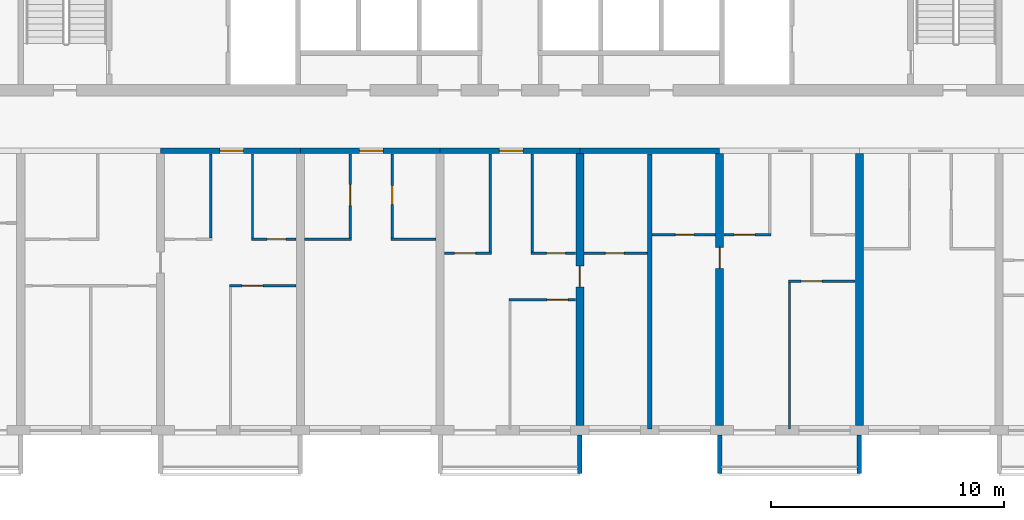
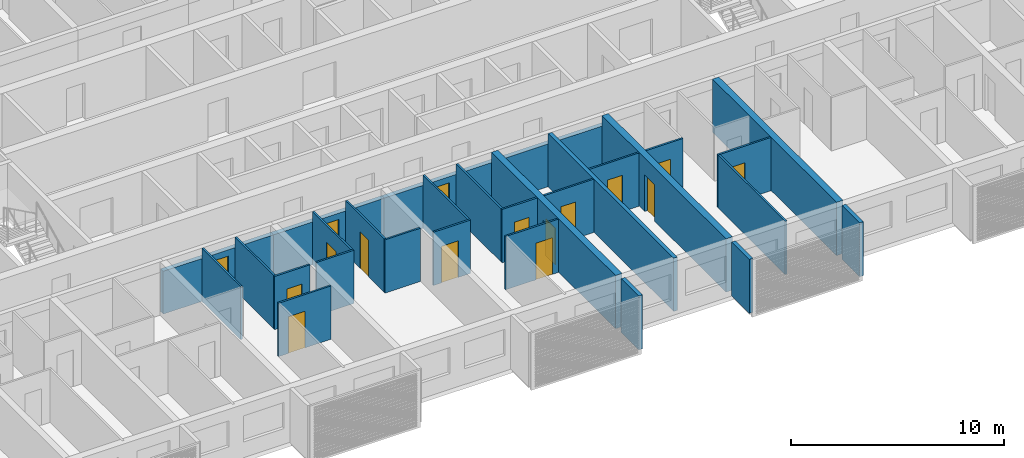
# One storey, part 5 of 26: 29 walls, 16 doors, 16 openings.
"""IFC4 building model written with IfcOpenShell, lengths in metres."""

import ifcopenshell
import ifcopenshell.guid

model = None  # the IFC model being written
_history = None  # IfcOwnerHistory: only IFC2X3 demands one
_inside = {}  # id of a spatial element -> (the spatial element, [elements in it])
_under = {}  # id of a project, library or spatial element -> (it, [spatial elements below it])
_declared = {}  # id of a project -> (the project, [libraries it declares])
_typed = {}  # id of a type object -> (the type object, [elements of that type])
_made_of = {}  # id of a material, layer set ... -> (it, [elements and type objects made of it])


def new_model(schema):
    """Start an empty IFC model of exactly this schema.

    Asked for "IFC4X3", IfcOpenShell would pick the latest addendum, in which some entities
    have other attributes; the version numbers below select the first issue.
    IFC2X3 requires an IfcOwnerHistory on every rooted entity: one is made here for all.
    """
    global model, _history
    if schema == "IFC4X3":
        model = ifcopenshell.file(schema_version=(4, 3, 0, 0))
    else:
        model = ifcopenshell.file(schema=schema)
    _inside.clear()
    _under.clear()
    _declared.clear()
    _typed.clear()
    _made_of.clear()
    _history = None
    if model.schema == "IFC2X3":
        org = make("IfcOrganization", Name="unknown")
        user = make(
            "IfcPersonAndOrganization",
            ThePerson=make("IfcPerson", FamilyName="unknown"),
            TheOrganization=org,
        )
        app = make(
            "IfcApplication",
            ApplicationDeveloper=org,
            Version="unknown",
            ApplicationFullName="unknown",
            ApplicationIdentifier="unknown",
        )
        _history = make(
            "IfcOwnerHistory",
            OwningUser=user,
            OwningApplication=app,
            ChangeAction="ADDED",
            CreationDate=0,
        )
    return model


def make(cls, **values):
    """One entity of the class cls with the attributes given. An attribute that is None is left unset."""
    return model.create_entity(
        cls, **{name: value for name, value in values.items() if value is not None}
    )


def rooted(cls, **values):
    """An entity with a GlobalId (a new one), such as an element, a storey or a relation."""
    return make(cls, GlobalId=ifcopenshell.guid.new(), OwnerHistory=_history, **values)


def si_unit(unit_type, name, prefix=None):
    """IfcSIUnit, for example si_unit("LENGTHUNIT", "METRE", prefix="MILLI")."""
    return make("IfcSIUnit", UnitType=unit_type, Prefix=prefix, Name=name)


def assignment(units):
    """IfcUnitAssignment: the units of a project."""
    return None if units is None else make("IfcUnitAssignment", Units=units)


def point(xyz):
    """IfcCartesianPoint."""
    return None if xyz is None else make("IfcCartesianPoint", Coordinates=xyz)


def direction(xyz):
    """IfcDirection."""
    return None if xyz is None else make("IfcDirection", DirectionRatios=xyz)


def frame(location, z_axis=None, x_axis=None):
    """IfcAxis2Placement3D, a coordinate frame: its origin and axes. An axis left out is left unset."""
    return make(
        "IfcAxis2Placement3D",
        Location=point(location),
        Axis=direction(z_axis),
        RefDirection=direction(x_axis),
    )


def frame_2d(location, x_axis=None):
    """IfcAxis2Placement2D, a coordinate frame in the plane: its origin and x axis."""
    return make(
        "IfcAxis2Placement2D", Location=point(location), RefDirection=direction(x_axis)
    )


def origin():
    """The frame at (0, 0, 0) with its axes left unset."""
    return frame((0.0, 0.0, 0.0))


def place(relative_to, where):
    """IfcLocalPlacement: puts the frame where relative to a parent placement (None: the world)."""
    return make(
        "IfcLocalPlacement", PlacementRelTo=relative_to, RelativePlacement=where
    )


def context(
    kind, dimensions, precision=None, world=None, true_north=None, identifier=None
):
    """IfcGeometricRepresentationContext, for example the 3D "Model" context."""
    return make(
        "IfcGeometricRepresentationContext",
        ContextIdentifier=identifier,
        ContextType=kind,
        CoordinateSpaceDimension=dimensions,
        Precision=precision,
        WorldCoordinateSystem=world,
        TrueNorth=true_north,
    )


def subcontext(parent, identifier, kind, view, scale=None):
    """IfcGeometricRepresentationSubContext, for example "Body" below "Model"."""
    return make(
        "IfcGeometricRepresentationSubContext",
        ContextIdentifier=identifier,
        ContextType=kind,
        ParentContext=parent,
        TargetScale=scale,
        TargetView=view,
    )


def project(units=None, contexts=None):
    """IfcProject with its units and contexts."""
    return rooted(
        "IfcProject",
        Name="project",
        RepresentationContexts=contexts,
        UnitsInContext=assignment(units),
    )


def spatial(cls, under=None, at=None, **own):
    """A site, building, storey or space (cls), placed at a placement, below another one or the project."""
    s = rooted(cls, ObjectPlacement=at, **own)
    if under is not None:
        _under.setdefault(under.id(), (under, []))[1].append(s)
    return s


def polyline(points):
    """IfcPolyline through the points."""
    return make("IfcPolyline", Points=[point(p) for p in points])


def profile(cls, at=None, kind="AREA", **sizes):
    """A parametric profile (cls). Its sizes go by their IFC names, for example OverallWidth=200.0."""
    return make(cls, ProfileType=kind, Position=at, **sizes)


def rectangle(**sizes):
    """IfcRectangleProfileDef."""
    return profile("IfcRectangleProfileDef", **sizes)


def outline(outer, holes=None, kind="AREA"):
    """IfcArbitraryClosedProfileDef: a profile drawn as a closed curve; with holes, ...WithVoids."""
    if holes is None:
        return make("IfcArbitraryClosedProfileDef", ProfileType=kind, OuterCurve=outer)
    return make(
        "IfcArbitraryProfileDefWithVoids",
        ProfileType=kind,
        OuterCurve=outer,
        InnerCurves=holes,
    )


def extrude(swept, where, along, depth):
    """IfcExtrudedAreaSolid: the profile swept, set in the frame where, extruded along a direction by depth."""
    return make(
        "IfcExtrudedAreaSolid",
        SweptArea=swept,
        Position=where,
        ExtrudedDirection=direction(along),
        Depth=depth,
    )


def shape(context_of_items, identifier, shape_type, items):
    """IfcShapeRepresentation: the items that make up one representation, for example the "Body"."""
    return make(
        "IfcShapeRepresentation",
        ContextOfItems=context_of_items,
        RepresentationIdentifier=identifier,
        RepresentationType=shape_type,
        Items=items,
    )


def source(mapping_origin, context_of_items, identifier, shape_type, items):
    """IfcRepresentationMap: a shape defined once, which mapped items show again and again."""
    return make(
        "IfcRepresentationMap",
        MappingOrigin=mapping_origin,
        MappedRepresentation=shape(context_of_items, identifier, shape_type, items),
    )


def transform(
    local_origin,
    x_axis=None,
    y_axis=None,
    z_axis=None,
    scale=None,
    scale2=None,
    scale3=None,
    uniform=True,
):
    """IfcCartesianTransformationOperator3D, or its non-uniform kind. x_axis, y_axis, z_axis: its Axis1, 2, 3."""
    if uniform:
        return make(
            "IfcCartesianTransformationOperator3D",
            Axis1=direction(x_axis),
            Axis2=direction(y_axis),
            LocalOrigin=point(local_origin),
            Scale=scale,
            Axis3=direction(z_axis),
        )
    return make(
        "IfcCartesianTransformationOperator3DnonUniform",
        Axis1=direction(x_axis),
        Axis2=direction(y_axis),
        LocalOrigin=point(local_origin),
        Scale=scale,
        Axis3=direction(z_axis),
        Scale2=scale2,
        Scale3=scale3,
    )


def mapped(mapping_source, mapping_target):
    """IfcMappedItem: shows the shape of a source again, moved by a transform."""
    return make(
        "IfcMappedItem", MappingSource=mapping_source, MappingTarget=mapping_target
    )


def material(Name=None, Category=None):
    """IfcMaterial."""
    return make("IfcMaterial", Name=Name, Category=Category)


def layer(
    of_material, thickness, ventilated=None, Name=None, Category=None, Priority=None
):
    """IfcMaterialLayer: one layer of a wall or slab, of a material (None: an air gap)."""
    return make(
        "IfcMaterialLayer",
        Material=of_material,
        LayerThickness=thickness,
        IsVentilated=ventilated,
        Name=Name,
        Category=Category,
        Priority=Priority,
    )


def layer_set(layers, Name=None):
    """IfcMaterialLayerSet."""
    return make("IfcMaterialLayerSet", MaterialLayers=layers, LayerSetName=Name)


def made_of(thing, what):
    """Note that an element or type object is made of a material, layer set ...; save() writes the relation."""
    if what is not None:
        _made_of.setdefault(what.id(), (what, []))[1].append(thing)
    return thing


def type_object(cls, material=None, **own):
    """A type object (cls), such as IfcWallType, which elements share."""
    return made_of(rooted(cls, **own), material)


def element(
    cls,
    number,
    at=None,
    inside=None,
    cuts=None,
    type_object=None,
    material=None,
    context=None,
    identifier="Body",
    shape_type=None,
    held_by="IfcProductDefinitionShape",
    body=None,
    shapes=None,
    **own,
):
    """One element of the class cls, such as IfcWall. Its Tag is "e" and its number.

    at: its placement. inside: the storey or other place that contains it. cuts: it is an
    opening in that element (IfcRelVoidsElement). A single representation is given by context,
    identifier, shape_type and body (its items); several are given by shapes. held_by: the class
    of the entity that holds the representations. save() writes the other relations.
    """
    e = rooted(cls, Tag="e%d" % number, ObjectPlacement=at, **own)
    if body is not None:
        shapes = [shape(context, identifier, shape_type, body)]
    if shapes is not None:
        e.Representation = make(held_by, Representations=shapes)
    if inside is not None:
        _inside.setdefault(inside.id(), (inside, []))[1].append(e)
    if cuts is not None:
        rooted(
            "IfcRelVoidsElement", RelatingBuildingElement=cuts, RelatedOpeningElement=e
        )
    if type_object is not None:
        _typed.setdefault(type_object.id(), (type_object, []))[1].append(e)
    return made_of(e, material)


def fill(opening, filler):
    """IfcRelFillsElement: the door or window that sits in an opening."""
    return rooted(
        "IfcRelFillsElement",
        RelatingOpeningElement=opening,
        RelatedBuildingElement=filler,
    )


def aggregate(whole, parts):
    """IfcRelAggregates: a whole, such as a stair, and the parts it consists of."""
    return rooted("IfcRelAggregates", RelatingObject=whole, RelatedObjects=parts)


def save(model, path):
    """Write the relations noted so far, then the file.

    IfcRelAggregates (storeys below a building ...), IfcRelContainedInSpatialStructure (elements
    in a storey), IfcRelDefinesByType, IfcRelAssociatesMaterial and IfcRelDeclares: one each for
    every whole, place, type object, material and project.
    """
    for whole, parts in _under.values():
        aggregate(whole, parts)
    for where, things in _inside.values():
        rooted(
            "IfcRelContainedInSpatialStructure",
            RelatedElements=things,
            RelatingStructure=where,
        )
    for kind, things in _typed.values():
        rooted("IfcRelDefinesByType", RelatedObjects=things, RelatingType=kind)
    for what, things in _made_of.values():
        rooted("IfcRelAssociatesMaterial", RelatedObjects=things, RelatingMaterial=what)
    for by, libraries in _declared.values():
        rooted("IfcRelDeclares", RelatingContext=by, RelatedDefinitions=libraries)
    model.write(path)


model = new_model("IFC4")

# Units and contexts
model_context = context("Model", 3, precision=1e-05, world=origin(), true_north=direction((0.0, 1.0)))
body_context = subcontext(model_context, "Body", "Model", "MODEL_VIEW")
ifc_project = project(units=[si_unit("LENGTHUNIT", "METRE"), si_unit("AREAUNIT", "SQUARE_METRE"), si_unit("VOLUMEUNIT", "CUBIC_METRE"), si_unit("PLANEANGLEUNIT", "RADIAN"), si_unit("MASSUNIT", "GRAM", prefix="KILO")], contexts=[model_context])

# Site, building, storey
site_placement = place(None, origin())
site = spatial("IfcSite", under=ifc_project, at=site_placement, CompositionType="ELEMENT")
building_placement = place(site_placement, origin())
building = spatial("IfcBuilding", under=site, at=building_placement, Name="Poui Terraces", CompositionType="ELEMENT")
storey_placement = place(building_placement, frame((0.0, 0.0, 79.5)))
storey = spatial("IfcBuildingStorey", under=building, at=storey_placement, Name="L21", CompositionType="ELEMENT", Elevation=79.5)

# Wall, opening, door
ifc_material_1 = material(Name="Concrete 65 MPa", Category="concrete")
ifc_layer_1 = layer(ifc_material_1, 0.25)
ifc_layer_set_1 = layer_set([ifc_layer_1], Name="Concrete 65 MPa")
wall_type_1 = type_object("IfcWallType", Name="CORRIDOR WALL 250 65MPa", PredefinedType="SHEAR", material=ifc_layer_set_1)
wall_1_placement = place(storey_placement, frame((36.0, 12.0, 0.0), z_axis=(0.0, 0.0, 1.0), x_axis=(1.0, 0.0, 0.0)))
wall_1 = element("IfcWall", 1, at=wall_1_placement, inside=storey, type_object=wall_type_1, Name="CORRIDOR WALL LINE B BAY 6", PredefinedType="SHEAR", context=body_context, shape_type="SweptSolid", body=[
    extrude(rectangle(XDim=6.0, YDim=0.25, at=frame_2d((3.0, 0.0))), origin(), (0.0, 0.0, 1.0), 2.4599609375),
])
opening_1_placement = place(wall_1_placement, frame((2.550048828125, 0.0, 0.0)))
opening_1 = element("IfcOpeningElement", 2, at=opening_1_placement, cuts=wall_1, Name="Opening FD30S", PredefinedType="OPENING", context=body_context, shape_type="SweptSolid", body=[
    extrude(rectangle(XDim=1.0, YDim=2.10009765625, at=frame_2d((0.5, 1.050048828125))), frame((0.0, 0.135009765625, 0.0), z_axis=(0.0, -1.0, 0.0), x_axis=(1.0, 0.0, 0.0)), (0.0, 0.0, 1.0), 0.27001953125),
])
ifc_material_2 = material(Name="Steel fire door", Category="steel")
door_type_1 = type_object("IfcDoorType", Name="FLAT ENTRANCE DOOR 1000 X 2100", OperationType="NOTDEFINED", PredefinedType="DOOR", material=ifc_material_2)
door_1_placement = place(opening_1_placement, frame((1.0, 0.0, 0.0), z_axis=(0.0, 0.0, 1.0), x_axis=(-1.0, 0.0, 0.0)))
door_1 = element("IfcDoor", 3, at=door_1_placement, inside=storey, type_object=door_type_1, Name="FLAT ENTRANCE DOOR 101", OperationType="SINGLE_SWING_LEFT", OverallHeight=2.10009765625, OverallWidth=1.0, PredefinedType="DOOR", context=body_context, shape_type="SweptSolid", body=[
    extrude(rectangle(XDim=1.0, YDim=2.10009765625, at=frame_2d((0.5, 1.050048828125))), frame((0.0, 0.02490234375, 0.0), z_axis=(0.0, -1.0, 0.0), x_axis=(1.0, 0.0, 0.0)), (0.0, 0.0, 1.0), 0.050048828125),
])
fill(opening_1, door_1)

wall_2_placement = place(storey_placement, frame((42.0, 12.0, 0.0), z_axis=(0.0, 0.0, 1.0), x_axis=(1.0, 0.0, 0.0)))
wall_2 = element("IfcWall", 4, at=wall_2_placement, inside=storey, type_object=wall_type_1, Name="CORRIDOR WALL LINE B BAY 7", PredefinedType="SHEAR", context=body_context, shape_type="SweptSolid", body=[
    extrude(rectangle(XDim=6.0, YDim=0.25, at=frame_2d((3.0, 0.0))), origin(), (0.0, 0.0, 1.0), 2.4599609375),
])
opening_2_placement = place(wall_2_placement, frame((2.550048828125, 0.0, 0.0)))
opening_2 = element("IfcOpeningElement", 5, at=opening_2_placement, cuts=wall_2, Name="Opening FD30S", PredefinedType="OPENING", context=body_context, shape_type="SweptSolid", body=[
    extrude(rectangle(XDim=1.0, YDim=2.10009765625, at=frame_2d((0.5, 1.050048828125))), frame((0.0, 0.135009765625, 0.0), z_axis=(0.0, -1.0, 0.0), x_axis=(1.0, 0.0, 0.0)), (0.0, 0.0, 1.0), 0.27001953125),
])
door_2_placement = place(opening_2_placement, frame((1.0, 0.0, 0.0), z_axis=(0.0, 0.0, 1.0), x_axis=(-1.0, 0.0, 0.0)))
door_2 = element("IfcDoor", 6, at=door_2_placement, inside=storey, type_object=door_type_1, Name="FLAT ENTRANCE DOOR 105", OperationType="SINGLE_SWING_LEFT", OverallHeight=2.10009765625, OverallWidth=1.0, PredefinedType="DOOR", context=body_context, shape_type="SweptSolid", body=[
    extrude(rectangle(XDim=1.0, YDim=2.10009765625, at=frame_2d((0.5, 1.050048828125))), frame((0.0, 0.02490234375, 0.0), z_axis=(0.0, -1.0, 0.0), x_axis=(1.0, 0.0, 0.0)), (0.0, 0.0, 1.0), 0.050048828125),
])
fill(opening_2, door_2)

wall_3_placement = place(storey_placement, frame((48.0, 12.0, 0.0), z_axis=(0.0, 0.0, 1.0), x_axis=(1.0, 0.0, 0.0)))
wall_3 = element("IfcWall", 7, at=wall_3_placement, inside=storey, type_object=wall_type_1, Name="CORRIDOR WALL LINE B BAY 8", PredefinedType="SHEAR", context=body_context, shape_type="SweptSolid", body=[
    extrude(rectangle(XDim=6.0, YDim=0.25, at=frame_2d((3.0, 0.0))), origin(), (0.0, 0.0, 1.0), 2.4599609375),
])
opening_3_placement = place(wall_3_placement, frame((2.550048828125, 0.0, 0.0)))
opening_3 = element("IfcOpeningElement", 8, at=opening_3_placement, cuts=wall_3, Name="Opening FD30S", PredefinedType="OPENING", context=body_context, shape_type="SweptSolid", body=[
    extrude(rectangle(XDim=1.0, YDim=2.10009765625, at=frame_2d((0.5, 1.050048828125))), frame((0.0, 0.135009765625, 0.0), z_axis=(0.0, -1.0, 0.0), x_axis=(1.0, 0.0, 0.0)), (0.0, 0.0, 1.0), 0.27001953125),
])
door_3_placement = place(opening_3_placement, frame((1.0, 0.0, 0.0), z_axis=(0.0, 0.0, 1.0), x_axis=(-1.0, 0.0, 0.0)))
door_3 = element("IfcDoor", 9, at=door_3_placement, inside=storey, type_object=door_type_1, Name="FLAT ENTRANCE DOOR 109", OperationType="SINGLE_SWING_LEFT", OverallHeight=2.10009765625, OverallWidth=1.0, PredefinedType="DOOR", context=body_context, shape_type="SweptSolid", body=[
    extrude(rectangle(XDim=1.0, YDim=2.10009765625, at=frame_2d((0.5, 1.050048828125))), frame((0.0, 0.02490234375, 0.0), z_axis=(0.0, -1.0, 0.0), x_axis=(1.0, 0.0, 0.0)), (0.0, 0.0, 1.0), 0.050048828125),
])
fill(opening_3, door_3)

# Wall
wall_4_placement = place(storey_placement, frame((54.0, 12.0, 0.0), z_axis=(0.0, 0.0, 1.0), x_axis=(1.0, 0.0, 0.0)))
element("IfcWall", 10, at=wall_4_placement, inside=storey, type_object=wall_type_1, Name="CORRIDOR WALL LINE B BAY 9", PredefinedType="SHEAR", context=body_context, shape_type="SweptSolid", body=[
    extrude(rectangle(XDim=6.0, YDim=0.25, at=frame_2d((3.0, 0.0))), origin(), (0.0, 0.0, 1.0), 2.4599609375),
])

# Wall, opening, door
ifc_layer_2 = layer(ifc_material_1, 0.35009765625)
ifc_layer_set_2 = layer_set([ifc_layer_2], Name="Concrete 65 MPa")
wall_type_2 = type_object("IfcWallType", Name="CROSS WALL 350 65MPa", PredefinedType="SHEAR", material=ifc_layer_set_2)
wall_5_placement = place(storey_placement, frame((54.0, 0.199951171875, 0.0), z_axis=(0.0, 0.0, 1.0), x_axis=(0.0, 1.0, 0.0)))
wall_5 = element("IfcWall", 11, at=wall_5_placement, inside=storey, type_object=wall_type_2, Name="CROSS WALL LINE 10 SOUTH", PredefinedType="SHEAR", context=body_context, shape_type="SweptSolid", body=[
    extrude(rectangle(XDim=11.675048828125, YDim=0.35009765625, at=frame_2d((5.83740234375, 0.0))), origin(), (0.0, 0.0, 1.0), 3.06005859375),
])
opening_4_placement = place(wall_5_placement, frame((5.949951171875, 0.0, 0.0)))
opening_4 = element("IfcOpeningElement", 12, at=opening_4_placement, cuts=wall_5, Name="Opening D90", PredefinedType="OPENING", context=body_context, shape_type="SweptSolid", body=[
    extrude(rectangle(XDim=0.89990234375, YDim=2.10009765625, at=frame_2d((0.449951171875, 1.050048828125))), frame((0.0, 0.18505859375, 0.0), z_axis=(0.0, -1.0, 0.0), x_axis=(1.0, 0.0, 0.0)), (0.0, 0.0, 1.0), 0.3701171875),
])
ifc_material_3 = material(Name="Solid core timber door", Category="wood")
door_type_2 = type_object("IfcDoorType", Name="INTERNAL DOOR 900 X 2100", OperationType="NOTDEFINED", PredefinedType="DOOR", material=ifc_material_3)
door_4_placement = place(opening_4_placement, frame((0.89990234375, 0.0, 0.0), z_axis=(0.0, 0.0, 1.0), x_axis=(-1.0, 0.0, 0.0)))
door_4 = element("IfcDoor", 13, at=door_4_placement, inside=storey, type_object=door_type_2, Name="INTERNAL DOOR 112", OperationType="SINGLE_SWING_LEFT", OverallHeight=2.10009765625, OverallWidth=0.89990234375, PredefinedType="DOOR", context=body_context, shape_type="SweptSolid", body=[
    extrude(rectangle(XDim=0.89990234375, YDim=2.10009765625, at=frame_2d((0.449951171875, 1.050048828125))), frame((0.0, 0.02490234375, 0.0), z_axis=(0.0, -1.0, 0.0), x_axis=(1.0, 0.0, 0.0)), (0.0, 0.0, 1.0), 0.050048828125),
])
fill(opening_4, door_4)

wall_6_placement = place(storey_placement, frame((60.0, 0.199951171875, 0.0), z_axis=(0.0, 0.0, 1.0), x_axis=(0.0, 1.0, 0.0)))
wall_6 = element("IfcWall", 14, at=wall_6_placement, inside=storey, type_object=wall_type_2, Name="CROSS WALL LINE 11 SOUTH", PredefinedType="SHEAR", context=body_context, shape_type="SweptSolid", body=[
    extrude(rectangle(XDim=11.675048828125, YDim=0.35009765625, at=frame_2d((5.83740234375, 0.0))), origin(), (0.0, 0.0, 1.0), 3.06005859375),
])
opening_5_placement = place(wall_6_placement, frame((6.75, 0.0, 0.0)))
opening_5 = element("IfcOpeningElement", 15, at=opening_5_placement, cuts=wall_6, Name="Opening D90", PredefinedType="OPENING", context=body_context, shape_type="SweptSolid", body=[
    extrude(rectangle(XDim=0.89990234375, YDim=2.10009765625, at=frame_2d((0.449951171875, 1.050048828125))), frame((0.0, 0.18505859375, 0.0), z_axis=(0.0, -1.0, 0.0), x_axis=(1.0, 0.0, 0.0)), (0.0, 0.0, 1.0), 0.3701171875),
])
door_5_placement = place(opening_5_placement, origin())
door_5 = element("IfcDoor", 16, at=door_5_placement, inside=storey, type_object=door_type_2, Name="INTERNAL DOOR 114", OperationType="SINGLE_SWING_RIGHT", OverallHeight=2.10009765625, OverallWidth=0.89990234375, PredefinedType="DOOR", context=body_context, shape_type="SweptSolid", body=[
    extrude(rectangle(XDim=0.89990234375, YDim=2.10009765625, at=frame_2d((0.449951171875, 1.050048828125))), frame((0.0, 0.02490234375, 0.0), z_axis=(0.0, -1.0, 0.0), x_axis=(1.0, 0.0, 0.0)), (0.0, 0.0, 1.0), 0.050048828125),
])
fill(opening_5, door_5)

# Wall
wall_7_placement = place(storey_placement, frame((66.0, 0.199951171875, 0.0), z_axis=(0.0, 0.0, 1.0), x_axis=(0.0, 1.0, 0.0)))
element("IfcWall", 17, at=wall_7_placement, inside=storey, type_object=wall_type_2, Name="CROSS WALL LINE 12 SOUTH", PredefinedType="SHEAR", context=body_context, shape_type="SweptSolid", body=[
    extrude(rectangle(XDim=11.675048828125, YDim=0.35009765625, at=frame_2d((5.83740234375, 0.0))), origin(), (0.0, 0.0, 1.0), 3.06005859375),
])

# Wall, opening, door
ifc_material_4 = material(Name="Plasterboard partition")
ifc_layer_3 = layer(ifc_material_4, 0.10009765625)
ifc_layer_set_3 = layer_set([ifc_layer_3], Name="Plasterboard partition")
wall_type_3 = type_object("IfcWallType", Name="FLAT PARTITION 100", PredefinedType="PARTITIONING", material=ifc_layer_set_3)
wall_8_placement = place(storey_placement, frame((50.949951171875, 5.60009765625, 0.0), z_axis=(0.0, 0.0, 1.0), x_axis=(1.0, 0.0, 0.0)))
wall_8 = element("IfcWall", 18, at=wall_8_placement, inside=storey, type_object=wall_type_3, Name="FLAT PARTITION 100", PredefinedType="PARTITIONING", context=body_context, shape_type="SweptSolid", body=[
    extrude(rectangle(XDim=2.864990234375, YDim=0.10009765625, at=frame_2d((1.4326171875, 0.0))), origin(), (0.0, 0.0, 1.0), 3.06005859375),
])
opening_6_placement = place(wall_8_placement, frame((1.64990234375, 0.0, 0.0)))
opening_6 = element("IfcOpeningElement", 19, at=opening_6_placement, cuts=wall_8, Name="Opening D90", PredefinedType="OPENING", context=body_context, shape_type="SweptSolid", body=[
    extrude(rectangle(XDim=0.89990234375, YDim=2.10009765625, at=frame_2d((0.449951171875, 1.050048828125))), frame((0.0, 0.06005859375, 0.0), z_axis=(0.0, -1.0, 0.0), x_axis=(1.0, 0.0, 0.0)), (0.0, 0.0, 1.0), 0.1201171875),
])
door_6_placement = place(opening_6_placement, origin())
door_6 = element("IfcDoor", 20, at=door_6_placement, inside=storey, type_object=door_type_2, Name="INTERNAL DOOR 111", OperationType="SINGLE_SWING_LEFT", OverallHeight=2.10009765625, OverallWidth=0.89990234375, PredefinedType="DOOR", context=body_context, shape_type="SweptSolid", body=[
    extrude(rectangle(XDim=0.89990234375, YDim=2.10009765625, at=frame_2d((0.449951171875, 1.050048828125))), frame((0.0, 0.02490234375, 0.0), z_axis=(0.0, -1.0, 0.0), x_axis=(1.0, 0.0, 0.0)), (0.0, 0.0, 1.0), 0.050048828125),
])
fill(opening_6, door_6)

wall_9_placement = place(storey_placement, frame((38.949951171875, 6.199951171875, 0.0), z_axis=(0.0, 0.0, 1.0), x_axis=(1.0, 0.0, 0.0)))
wall_9 = element("IfcWall", 21, at=wall_9_placement, inside=storey, type_object=wall_type_3, Name="FLAT PARTITION 100", PredefinedType="PARTITIONING", context=body_context, shape_type="SweptSolid", body=[
    extrude(rectangle(XDim=2.864990234375, YDim=0.10009765625, at=frame_2d((1.4326171875, 0.0))), origin(), (0.0, 0.0, 1.0), 3.06005859375),
])
opening_7_placement = place(wall_9_placement, frame((0.550048828125, 0.0, 0.0)))
opening_7 = element("IfcOpeningElement", 22, at=opening_7_placement, cuts=wall_9, Name="Opening D90", PredefinedType="OPENING", context=body_context, shape_type="SweptSolid", body=[
    extrude(rectangle(XDim=0.89990234375, YDim=2.10009765625, at=frame_2d((0.449951171875, 1.050048828125))), frame((0.0, 0.06005859375, 0.0), z_axis=(0.0, -1.0, 0.0), x_axis=(1.0, 0.0, 0.0)), (0.0, 0.0, 1.0), 0.1201171875),
])
door_7_placement = place(opening_7_placement, origin())
door_7 = element("IfcDoor", 23, at=door_7_placement, inside=storey, type_object=door_type_2, Name="INTERNAL DOOR 102", OperationType="SINGLE_SWING_RIGHT", OverallHeight=2.10009765625, OverallWidth=0.89990234375, PredefinedType="DOOR", context=body_context, shape_type="SweptSolid", body=[
    extrude(rectangle(XDim=0.89990234375, YDim=2.10009765625, at=frame_2d((0.449951171875, 1.050048828125))), frame((0.0, 0.02490234375, 0.0), z_axis=(0.0, -1.0, 0.0), x_axis=(1.0, 0.0, 0.0)), (0.0, 0.0, 1.0), 0.050048828125),
])
fill(opening_7, door_7)

wall_10_placement = place(storey_placement, frame((62.949951171875, 6.39990234375, 0.0), z_axis=(0.0, 0.0, 1.0), x_axis=(1.0, 0.0, 0.0)))
wall_10 = element("IfcWall", 24, at=wall_10_placement, inside=storey, type_object=wall_type_3, Name="FLAT PARTITION 100", PredefinedType="PARTITIONING", context=body_context, shape_type="SweptSolid", body=[
    extrude(rectangle(XDim=2.864990234375, YDim=0.10009765625, at=frame_2d((1.4326171875, 0.0))), origin(), (0.0, 0.0, 1.0), 3.06005859375),
])
opening_8_placement = place(wall_10_placement, frame((0.550048828125, 0.0, 0.0)))
opening_8 = element("IfcOpeningElement", 25, at=opening_8_placement, cuts=wall_10, Name="Opening D90", PredefinedType="OPENING", context=body_context, shape_type="SweptSolid", body=[
    extrude(rectangle(XDim=0.89990234375, YDim=2.10009765625, at=frame_2d((0.449951171875, 1.050048828125))), frame((0.0, 0.06005859375, 0.0), z_axis=(0.0, -1.0, 0.0), x_axis=(1.0, 0.0, 0.0)), (0.0, 0.0, 1.0), 0.1201171875),
])
door_8_placement = place(opening_8_placement, origin())
door_8 = element("IfcDoor", 26, at=door_8_placement, inside=storey, type_object=door_type_2, Name="INTERNAL DOOR 117", OperationType="SINGLE_SWING_RIGHT", OverallHeight=2.10009765625, OverallWidth=0.89990234375, PredefinedType="DOOR", context=body_context, shape_type="SweptSolid", body=[
    extrude(rectangle(XDim=0.89990234375, YDim=2.10009765625, at=frame_2d((0.449951171875, 1.050048828125))), frame((0.0, 0.02490234375, 0.0), z_axis=(0.0, -1.0, 0.0), x_axis=(1.0, 0.0, 0.0)), (0.0, 0.0, 1.0), 0.050048828125),
])
fill(opening_8, door_8)

wall_11_placement = place(storey_placement, frame((48.18505859375, 7.60009765625, 0.0), z_axis=(0.0, 0.0, 1.0), x_axis=(1.0, 0.0, 0.0)))
wall_11 = element("IfcWall", 27, at=wall_11_placement, inside=storey, type_object=wall_type_3, Name="FLAT PARTITION 100", PredefinedType="PARTITIONING", context=body_context, shape_type="SweptSolid", body=[
    extrude(rectangle(XDim=2.014892578125, YDim=0.10009765625, at=frame_2d((1.00732421875, 0.0))), origin(), (0.0, 0.0, 1.0), 3.06005859375),
])
opening_9_placement = place(wall_11_placement, frame((0.43994140625, 0.0, 0.0)))
opening_9 = element("IfcOpeningElement", 28, at=opening_9_placement, cuts=wall_11, Name="Opening D90", PredefinedType="OPENING", context=body_context, shape_type="SweptSolid", body=[
    extrude(rectangle(XDim=0.89990234375, YDim=2.10009765625, at=frame_2d((0.449951171875, 1.050048828125))), frame((0.0, 0.06005859375, 0.0), z_axis=(0.0, -1.0, 0.0), x_axis=(1.0, 0.0, 0.0)), (0.0, 0.0, 1.0), 0.1201171875),
])
door_9_placement = place(opening_9_placement, origin())
door_9 = element("IfcDoor", 29, at=door_9_placement, inside=storey, type_object=door_type_2, Name="INTERNAL DOOR 108", OperationType="SINGLE_SWING_LEFT", OverallHeight=2.10009765625, OverallWidth=0.89990234375, PredefinedType="DOOR", context=body_context, shape_type="SweptSolid", body=[
    extrude(rectangle(XDim=0.89990234375, YDim=2.10009765625, at=frame_2d((0.449951171875, 1.050048828125))), frame((0.0, 0.02490234375, 0.0), z_axis=(0.0, -1.0, 0.0), x_axis=(1.0, 0.0, 0.0)), (0.0, 0.0, 1.0), 0.050048828125),
])
fill(opening_9, door_9)

wall_12_placement = place(storey_placement, frame((51.89990234375, 7.60009765625, 0.0), z_axis=(0.0, 0.0, 1.0), x_axis=(1.0, 0.0, 0.0)))
wall_12 = element("IfcWall", 30, at=wall_12_placement, inside=storey, type_object=wall_type_3, Name="FLAT PARTITION 100", PredefinedType="PARTITIONING", context=body_context, shape_type="SweptSolid", body=[
    extrude(rectangle(XDim=1.9150390625, YDim=0.10009765625, at=frame_2d((0.95751953125, 0.0))), origin(), (0.0, 0.0, 1.0), 3.06005859375),
])
opening_10_placement = place(wall_12_placement, frame((0.675048828125, 0.0, 0.0)))
opening_10 = element("IfcOpeningElement", 31, at=opening_10_placement, cuts=wall_12, Name="Opening D80", PredefinedType="OPENING", context=body_context, shape_type="SweptSolid", body=[
    extrude(rectangle(XDim=0.800048828125, YDim=2.10009765625, at=frame_2d((0.39990234375, 1.050048828125))), frame((0.0, 0.06005859375, 0.0), z_axis=(0.0, -1.0, 0.0), x_axis=(1.0, 0.0, 0.0)), (0.0, 0.0, 1.0), 0.1201171875),
])
door_type_3 = type_object("IfcDoorType", Name="BATHROOM, LAUNDRY AND STORE DOOR 800 X 2100", OperationType="NOTDEFINED", PredefinedType="DOOR", material=ifc_material_3)
door_10_placement = place(opening_10_placement, origin())
door_10 = element("IfcDoor", 32, at=door_10_placement, inside=storey, type_object=door_type_3, Name="BATHROOM, LAUNDRY AND STORE DOOR 110", OperationType="SINGLE_SWING_RIGHT", OverallHeight=2.10009765625, OverallWidth=0.800048828125, PredefinedType="DOOR", context=body_context, shape_type="SweptSolid", body=[
    extrude(rectangle(XDim=0.800048828125, YDim=2.10009765625, at=frame_2d((0.39990234375, 1.050048828125))), frame((0.0, 0.02490234375, 0.0), z_axis=(0.0, -1.0, 0.0), x_axis=(1.0, 0.0, 0.0)), (0.0, 0.0, 1.0), 0.050048828125),
])
fill(opening_10, door_10)

wall_13_placement = place(storey_placement, frame((54.18505859375, 7.60009765625, 0.0), z_axis=(0.0, 0.0, 1.0), x_axis=(1.0, 0.0, 0.0)))
wall_13 = element("IfcWall", 33, at=wall_13_placement, inside=storey, type_object=wall_type_3, Name="FLAT PARTITION 100", PredefinedType="PARTITIONING", context=body_context, shape_type="SweptSolid", body=[
    extrude(rectangle(XDim=2.71484375, YDim=0.10009765625, at=frame_2d((1.357421875, 0.0))), origin(), (0.0, 0.0, 1.0), 3.06005859375),
])
opening_11_placement = place(wall_13_placement, frame((0.9150390625, 0.0, 0.0)))
opening_11 = element("IfcOpeningElement", 34, at=opening_11_placement, cuts=wall_13, Name="Opening D80", PredefinedType="OPENING", context=body_context, shape_type="SweptSolid", body=[
    extrude(rectangle(XDim=0.800048828125, YDim=2.10009765625, at=frame_2d((0.39990234375, 1.050048828125))), frame((0.0, 0.06005859375, 0.0), z_axis=(0.0, -1.0, 0.0), x_axis=(1.0, 0.0, 0.0)), (0.0, 0.0, 1.0), 0.1201171875),
])
door_11_placement = place(opening_11_placement, origin())
door_11 = element("IfcDoor", 35, at=door_11_placement, inside=storey, type_object=door_type_3, Name="BATHROOM, LAUNDRY AND STORE DOOR 107", OperationType="SINGLE_SWING_LEFT", OverallHeight=2.10009765625, OverallWidth=0.800048828125, PredefinedType="DOOR", context=body_context, shape_type="SweptSolid", body=[
    extrude(rectangle(XDim=0.800048828125, YDim=2.10009765625, at=frame_2d((0.39990234375, 1.050048828125))), frame((0.0, 0.02490234375, 0.0), z_axis=(0.0, -1.0, 0.0), x_axis=(1.0, 0.0, 0.0)), (0.0, 0.0, 1.0), 0.050048828125),
])
fill(opening_11, door_11)

wall_14_placement = place(storey_placement, frame((39.89990234375, 8.199951171875, 0.0), z_axis=(0.0, 0.0, 1.0), x_axis=(1.0, 0.0, 0.0)))
wall_14 = element("IfcWall", 36, at=wall_14_placement, inside=storey, type_object=wall_type_3, Name="FLAT PARTITION 100", PredefinedType="PARTITIONING", context=body_context, shape_type="SweptSolid", body=[
    extrude(rectangle(XDim=1.9150390625, YDim=0.10009765625, at=frame_2d((0.95751953125, 0.0))), origin(), (0.0, 0.0, 1.0), 3.06005859375),
])
opening_12_placement = place(wall_14_placement, frame((0.675048828125, 0.0, 0.0)))
opening_12 = element("IfcOpeningElement", 37, at=opening_12_placement, cuts=wall_14, Name="Opening D80", PredefinedType="OPENING", context=body_context, shape_type="SweptSolid", body=[
    extrude(rectangle(XDim=0.800048828125, YDim=2.10009765625, at=frame_2d((0.39990234375, 1.050048828125))), frame((0.0, 0.06005859375, 0.0), z_axis=(0.0, -1.0, 0.0), x_axis=(1.0, 0.0, 0.0)), (0.0, 0.0, 1.0), 0.1201171875),
])
door_12_placement = place(opening_12_placement, origin())
door_12 = element("IfcDoor", 38, at=door_12_placement, inside=storey, type_object=door_type_3, Name="BATHROOM, LAUNDRY AND STORE DOOR 103", OperationType="SINGLE_SWING_LEFT", OverallHeight=2.10009765625, OverallWidth=0.800048828125, PredefinedType="DOOR", context=body_context, shape_type="SweptSolid", body=[
    extrude(rectangle(XDim=0.800048828125, YDim=2.10009765625, at=frame_2d((0.39990234375, 1.050048828125))), frame((0.0, 0.02490234375, 0.0), z_axis=(0.0, -1.0, 0.0), x_axis=(1.0, 0.0, 0.0)), (0.0, 0.0, 1.0), 0.050048828125),
])
fill(opening_12, door_12)

# Walls
wall_15_placement = place(storey_placement, frame((42.18505859375, 8.199951171875, 0.0), z_axis=(0.0, 0.0, 1.0), x_axis=(1.0, 0.0, 0.0)))
element("IfcWall", 39, at=wall_15_placement, inside=storey, type_object=wall_type_3, Name="FLAT PARTITION 100", PredefinedType="PARTITIONING", context=body_context, shape_type="SweptSolid", body=[
    extrude(rectangle(XDim=2.014892578125, YDim=0.10009765625, at=frame_2d((1.00732421875, 0.0))), origin(), (0.0, 0.0, 1.0), 3.06005859375),
])
wall_16_placement = place(storey_placement, frame((45.89990234375, 8.199951171875, 0.0), z_axis=(0.0, 0.0, 1.0), x_axis=(1.0, 0.0, 0.0)))
element("IfcWall", 40, at=wall_16_placement, inside=storey, type_object=wall_type_3, Name="FLAT PARTITION 100", PredefinedType="PARTITIONING", context=body_context, shape_type="SweptSolid", body=[
    extrude(rectangle(XDim=1.9150390625, YDim=0.10009765625, at=frame_2d((0.95751953125, 0.0))), origin(), (0.0, 0.0, 1.0), 3.06005859375),
])

# Wall, opening, door
wall_17_placement = place(storey_placement, frame((57.10009765625, 8.39990234375, 0.0), z_axis=(0.0, 0.0, 1.0), x_axis=(1.0, 0.0, 0.0)))
wall_17 = element("IfcWall", 41, at=wall_17_placement, inside=storey, type_object=wall_type_3, Name="FLAT PARTITION 100", PredefinedType="PARTITIONING", context=body_context, shape_type="SweptSolid", body=[
    extrude(rectangle(XDim=2.71484375, YDim=0.10009765625, at=frame_2d((1.357421875, 0.0))), origin(), (0.0, 0.0, 1.0), 3.06005859375),
])
opening_13_placement = place(wall_17_placement, frame((1.0, 0.0, 0.0)))
opening_13 = element("IfcOpeningElement", 42, at=opening_13_placement, cuts=wall_17, Name="Opening D80", PredefinedType="OPENING", context=body_context, shape_type="SweptSolid", body=[
    extrude(rectangle(XDim=0.800048828125, YDim=2.10009765625, at=frame_2d((0.39990234375, 1.050048828125))), frame((0.0, 0.06005859375, 0.0), z_axis=(0.0, -1.0, 0.0), x_axis=(1.0, 0.0, 0.0)), (0.0, 0.0, 1.0), 0.1201171875),
])
door_13_placement = place(opening_13_placement, origin())
door_13 = element("IfcDoor", 43, at=door_13_placement, inside=storey, type_object=door_type_3, Name="BATHROOM, LAUNDRY AND STORE DOOR 113", OperationType="SINGLE_SWING_RIGHT", OverallHeight=2.10009765625, OverallWidth=0.800048828125, PredefinedType="DOOR", context=body_context, shape_type="SweptSolid", body=[
    extrude(rectangle(XDim=0.800048828125, YDim=2.10009765625, at=frame_2d((0.39990234375, 1.050048828125))), frame((0.0, 0.02490234375, 0.0), z_axis=(0.0, -1.0, 0.0), x_axis=(1.0, 0.0, 0.0)), (0.0, 0.0, 1.0), 0.050048828125),
])
fill(opening_13, door_13)

wall_18_placement = place(storey_placement, frame((60.18505859375, 8.39990234375, 0.0), z_axis=(0.0, 0.0, 1.0), x_axis=(1.0, 0.0, 0.0)))
wall_18 = element("IfcWall", 44, at=wall_18_placement, inside=storey, type_object=wall_type_3, Name="FLAT PARTITION 100", PredefinedType="PARTITIONING", context=body_context, shape_type="SweptSolid", body=[
    extrude(rectangle(XDim=2.014892578125, YDim=0.10009765625, at=frame_2d((1.00732421875, 0.0))), origin(), (0.0, 0.0, 1.0), 3.06005859375),
])
opening_14_placement = place(wall_18_placement, frame((0.43994140625, 0.0, 0.0)))
opening_14 = element("IfcOpeningElement", 45, at=opening_14_placement, cuts=wall_18, Name="Opening D90", PredefinedType="OPENING", context=body_context, shape_type="SweptSolid", body=[
    extrude(rectangle(XDim=0.89990234375, YDim=2.10009765625, at=frame_2d((0.449951171875, 1.050048828125))), frame((0.0, 0.06005859375, 0.0), z_axis=(0.0, -1.0, 0.0), x_axis=(1.0, 0.0, 0.0)), (0.0, 0.0, 1.0), 0.1201171875),
])
door_14_placement = place(opening_14_placement, origin())
door_14 = element("IfcDoor", 46, at=door_14_placement, inside=storey, type_object=door_type_2, Name="INTERNAL DOOR 115", OperationType="SINGLE_SWING_RIGHT", OverallHeight=2.10009765625, OverallWidth=0.89990234375, PredefinedType="DOOR", context=body_context, shape_type="SweptSolid", body=[
    extrude(rectangle(XDim=0.89990234375, YDim=2.10009765625, at=frame_2d((0.449951171875, 1.050048828125))), frame((0.0, 0.02490234375, 0.0), z_axis=(0.0, -1.0, 0.0), x_axis=(1.0, 0.0, 0.0)), (0.0, 0.0, 1.0), 0.050048828125),
])
fill(opening_14, door_14)

# Walls
for number, where, z_axis, x_axis, name in (
    (47, (38.14990234375, 8.25, 0.0), (0.0, 0.0, 1.0), (0.0, 1.0, 0.0), "FLAT PARTITION 100"),
    (48, (39.949951171875, 8.25, 0.0), (0.0, 0.0, 1.0), (0.0, 1.0, 0.0), "FLAT PARTITION 100"),
):
    element("IfcWall", number, at=place(storey_placement, frame(where, z_axis=z_axis, x_axis=x_axis)), inside=storey, type_object=wall_type_3, Name=name, PredefinedType="PARTITIONING", context=body_context, shape_type="SweptSolid", body=[
        extrude(rectangle(XDim=3.614990234375, YDim=0.10009765625, at=frame_2d((1.8076171875, 0.0))), origin(), (0.0, 0.0, 1.0), 3.06005859375),
    ])

# Wall, opening, door
wall_19_placement = place(storey_placement, frame((44.14990234375, 8.25, 0.0), z_axis=(0.0, 0.0, 1.0), x_axis=(0.0, 1.0, 0.0)))
wall_19 = element("IfcWall", 49, at=wall_19_placement, inside=storey, type_object=wall_type_3, Name="FLAT PARTITION 100", PredefinedType="PARTITIONING", context=body_context, shape_type="SweptSolid", body=[
    extrude(rectangle(XDim=3.614990234375, YDim=0.10009765625, at=frame_2d((1.8076171875, 0.0))), origin(), (0.0, 0.0, 1.0), 3.06005859375),
])
opening_15_placement = place(wall_19_placement, frame((1.39990234375, 0.0, 0.0)))
opening_15 = element("IfcOpeningElement", 50, at=opening_15_placement, cuts=wall_19, Name="Opening D90", PredefinedType="OPENING", context=body_context, shape_type="SweptSolid", body=[
    extrude(rectangle(XDim=0.89990234375, YDim=2.10009765625, at=frame_2d((0.449951171875, 1.050048828125))), frame((0.0, 0.06005859375, 0.0), z_axis=(0.0, -1.0, 0.0), x_axis=(1.0, 0.0, 0.0)), (0.0, 0.0, 1.0), 0.1201171875),
])
door_15_placement = place(opening_15_placement, origin())
door_15 = element("IfcDoor", 51, at=door_15_placement, inside=storey, type_object=door_type_2, Name="INTERNAL DOOR 104", OperationType="SINGLE_SWING_LEFT", OverallHeight=2.10009765625, OverallWidth=0.89990234375, PredefinedType="DOOR", context=body_context, shape_type="SweptSolid", body=[
    extrude(rectangle(XDim=0.89990234375, YDim=2.10009765625, at=frame_2d((0.449951171875, 1.050048828125))), frame((0.0, 0.02490234375, 0.0), z_axis=(0.0, -1.0, 0.0), x_axis=(1.0, 0.0, 0.0)), (0.0, 0.0, 1.0), 0.050048828125),
])
fill(opening_15, door_15)

wall_20_placement = place(storey_placement, frame((45.949951171875, 8.25, 0.0), z_axis=(0.0, 0.0, 1.0), x_axis=(0.0, 1.0, 0.0)))
wall_20 = element("IfcWall", 52, at=wall_20_placement, inside=storey, type_object=wall_type_3, Name="FLAT PARTITION 100", PredefinedType="PARTITIONING", context=body_context, shape_type="SweptSolid", body=[
    extrude(rectangle(XDim=3.614990234375, YDim=0.10009765625, at=frame_2d((1.8076171875, 0.0))), origin(), (0.0, 0.0, 1.0), 3.06005859375),
])
opening_16_placement = place(wall_20_placement, frame((1.449951171875, 0.0, 0.0)))
opening_16 = element("IfcOpeningElement", 53, at=opening_16_placement, cuts=wall_20, Name="Opening D80", PredefinedType="OPENING", context=body_context, shape_type="SweptSolid", body=[
    extrude(rectangle(XDim=0.800048828125, YDim=2.10009765625, at=frame_2d((0.39990234375, 1.050048828125))), frame((0.0, 0.06005859375, 0.0), z_axis=(0.0, -1.0, 0.0), x_axis=(1.0, 0.0, 0.0)), (0.0, 0.0, 1.0), 0.1201171875),
])
door_16_placement = place(opening_16_placement, frame((0.800048828125, 0.0, 0.0), z_axis=(0.0, 0.0, 1.0), x_axis=(-1.0, 0.0, 0.0)))
door_16 = element("IfcDoor", 54, at=door_16_placement, inside=storey, type_object=door_type_3, Name="BATHROOM, LAUNDRY AND STORE DOOR 106", OperationType="SINGLE_SWING_LEFT", OverallHeight=2.10009765625, OverallWidth=0.800048828125, PredefinedType="DOOR", context=body_context, shape_type="SweptSolid", body=[
    extrude(rectangle(XDim=0.800048828125, YDim=2.10009765625, at=frame_2d((0.39990234375, 1.050048828125))), frame((0.0, 0.02490234375, 0.0), z_axis=(0.0, -1.0, 0.0), x_axis=(1.0, 0.0, 0.0)), (0.0, 0.0, 1.0), 0.050048828125),
])
fill(opening_16, door_16)

# Walls
for number, where, z_axis, x_axis, name in (
    (55, (50.14990234375, 7.64990234375, 0.0), (0.0, 0.0, 1.0), (0.0, 1.0, 0.0), "FLAT PARTITION 100"),
    (56, (51.949951171875, 7.64990234375, 0.0), (0.0, 0.0, 1.0), (0.0, 1.0, 0.0), "FLAT PARTITION 100"),
):
    element("IfcWall", number, at=place(storey_placement, frame(where, z_axis=z_axis, x_axis=x_axis)), inside=storey, type_object=wall_type_3, Name=name, PredefinedType="PARTITIONING", context=body_context, shape_type="SweptSolid", body=[
        extrude(rectangle(XDim=4.215087890625, YDim=0.10009765625, at=frame_2d((2.107421875, 0.0))), origin(), (0.0, 0.0, 1.0), 3.06005859375),
    ])
wall_21_placement = place(storey_placement, frame((63.0, 0.06005859375, 0.0), z_axis=(0.0, 0.0, 1.0), x_axis=(0.0, 1.0, 0.0)))
element("IfcWall", 57, at=wall_21_placement, inside=storey, type_object=wall_type_3, Name="FLAT PARTITION 100", PredefinedType="PARTITIONING", context=body_context, shape_type="SweptSolid", body=[
    extrude(rectangle(XDim=6.2900390625, YDim=0.10009765625, at=frame_2d((3.14501953125, 0.0))), origin(), (0.0, 0.0, 1.0), 3.06005859375),
])
ifc_material_5 = material(Name="Fire-rated masonry wall", Category="masonry")
ifc_layer_4 = layer(ifc_material_5, 0.199951171875)
ifc_layer_set_4 = layer_set([ifc_layer_4], Name="Fire-rated masonry wall")
wall_type_4 = type_object("IfcWallType", Name="FLAT PARTY WALL 200", PredefinedType="PARTITIONING", material=ifc_layer_set_4)
wall_22_placement = place(storey_placement, frame((57.0, 0.06005859375, 0.0), z_axis=(0.0, 0.0, 1.0), x_axis=(0.0, 1.0, 0.0)))
element("IfcWall", 58, at=wall_22_placement, inside=storey, type_object=wall_type_4, Name="FLAT PARTY WALL 200", PredefinedType="PARTITIONING", context=body_context, shape_type="SweptSolid", body=[
    extrude(rectangle(XDim=11.804931640625, YDim=0.199951171875, at=frame_2d((5.90234375, 0.0))), origin(), (0.0, 0.0, 1.0), 3.06005859375),
])
ifc_material_6 = material(Name="Precast concrete 40 MPa", Category="concrete")
ifc_layer_5 = layer(ifc_material_6, 0.199951171875)
ifc_layer_set_5 = layer_set([ifc_layer_5], Name="Precast concrete 40 MPa")
wall_type_5 = type_object("IfcWallType", Name="REAR FIN 200", PredefinedType="STANDARD", material=ifc_layer_set_5)
shared_shape = source(origin(), body_context, "Body", "SweptSolid", [
    extrude(outline(polyline([(0.0, 0.0), (0.2001953125, 0.0), (0.2001953125, 1.650146484375), (0.0, 1.650146484375), (0.0, 0.0)])), origin(), (0.0, 0.0, 1.0), 3.10009765625),
])
for number, where, name in (
    (59, (53.89990234375, -1.85009765625, 0.0), "REAR FIN"),
    (60, (59.89990234375, -1.85009765625, 0.0), "REAR FIN"),
    (61, (65.89990234375, -1.85009765625, 0.0), "REAR FIN"),
):
    element("IfcWall", number, at=place(storey_placement, frame(where)), inside=storey, type_object=wall_type_5, Name=name, PredefinedType="STANDARD", context=body_context, shape_type="MappedRepresentation", body=[
        mapped(shared_shape, transform((0.0, 0.0, 0.0))),
    ])

save(model, "model.ifc")
